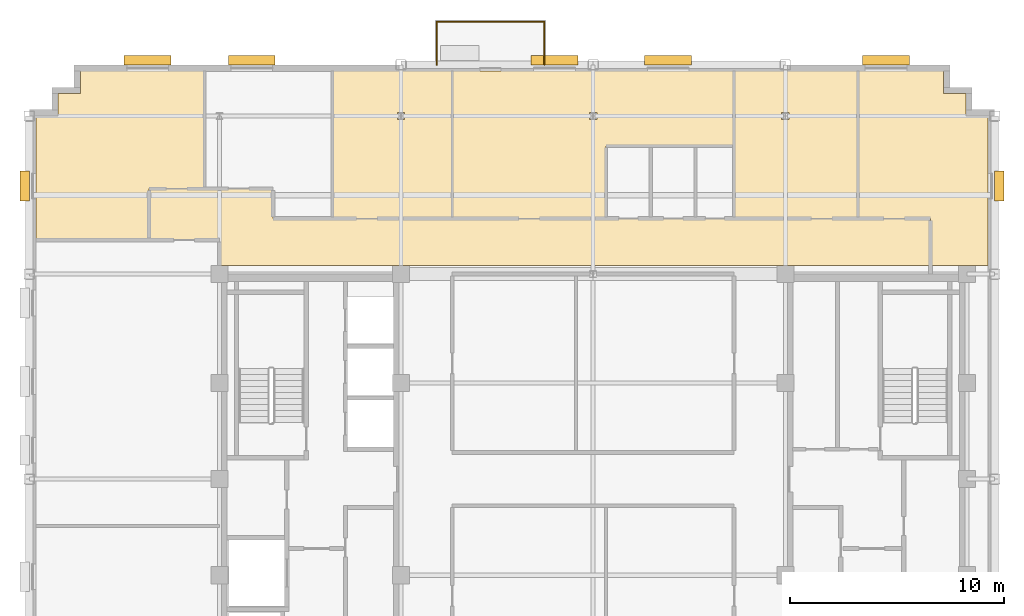
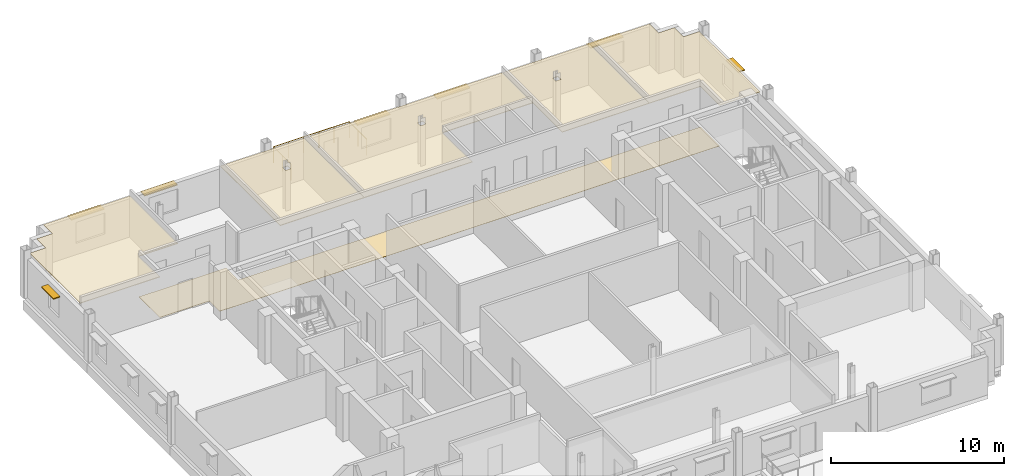
# One storey, part 13 of 13: 7 shading devices, 6 coverings, 1 railing.
"""IFC4 building model written with IfcOpenShell, lengths in metres."""

from ifc_helpers import new_model, si_unit, direction, frame, origin, origin_2d, place, context, subcontext, project, spatial, polyline, rectangle, circle, outline, extrude, source, transform, mapped, material, layer, layer_set, type_object, type_shapes, element, save


model = new_model("IFC4")

# Units and contexts
model_context = context("Model", 3, precision=1e-05, world=origin(), true_north=direction((0.0, 1.0)))
body_context = subcontext(model_context, "Body", "Model", "MODEL_VIEW")
ifc_project = project(units=[si_unit("LENGTHUNIT", "METRE"), si_unit("AREAUNIT", "SQUARE_METRE"), si_unit("VOLUMEUNIT", "CUBIC_METRE"), si_unit("PLANEANGLEUNIT", "RADIAN"), si_unit("MASSUNIT", "GRAM", prefix="KILO")], contexts=[model_context])

# Site, building, storey
site_placement = place(None, origin())
site = spatial("IfcSite", under=ifc_project, at=site_placement, CompositionType="ELEMENT")
building_placement = place(site_placement, origin())
building = spatial("IfcBuilding", under=site, at=building_placement, Name="Nuvemarco Arch Tower", CompositionType="ELEMENT")
storey_placement = place(building_placement, frame((0.0, 0.0, 234.699951171875)))
storey = spatial("IfcBuildingStorey", under=building, at=storey_placement, Name="L62", CompositionType="ELEMENT", Elevation=234.699951171875)

# Coverings
ifc_material_1 = material(Name="Mineral acoustic ceiling tile")
ifc_layer_1 = layer(ifc_material_1, 0.0400390625, Name="COV-ACOUSTIC-CLG")
ifc_layer_set_1 = layer_set([ifc_layer_1], Name="Mineral acoustic ceiling tile")
covering_type_1 = type_object("IfcCoveringType", Name="COV-ACOUSTIC-CLG", PredefinedType="CEILING", material=ifc_layer_set_1)
covering_1_placement = place(storey_placement, frame((0.0, 0.0, 2.85009765625)))
element("IfcCovering", 1, at=covering_1_placement, inside=storey, type_object=covering_type_1, Name="L62 suspended acoustic ceiling 2", PredefinedType="CEILING", context=body_context, shape_type="SweptSolid", body=[
    extrude(outline(polyline([(-6.60009765625, 12.199951171875), (-6.60009765625, 19.10009765625), (6.60009765625, 19.10009765625), (6.60009765625, 15.60009765625), (4.800048828125, 15.60009765625), (2.699951171875, 15.60009765625), (0.60009765625, 15.60009765625), (0.60009765625, 12.199951171875), (-6.60009765625, 12.199951171875)]), holes=[polyline([(0.169921875, 16.830078125), (0.169921875, 17.169921875), (-0.169921875, 17.169921875), (-0.169921875, 16.830078125), (0.169921875, 16.830078125)])]), origin(), (0.0, 0.0, 1.0), 0.0400390625),
])
covering_2_placement = place(storey_placement, frame((0.0, 0.0, 2.85009765625)))
element("IfcCovering", 2, at=covering_2_placement, inside=storey, type_object=covering_type_1, Name="L62 suspended acoustic ceiling 6", PredefinedType="CEILING", context=body_context, shape_type="SweptSolid", body=[
    extrude(outline(polyline([(-25.050048828125, 17.0), (-25.050048828125, 18.050048828125), (-24.0, 18.050048828125), (-24.0, 19.10009765625), (-18.199951171875, 19.10009765625), (-18.199951171875, 13.60009765625), (-20.800048828125, 13.60009765625), (-20.800048828125, 11.199951171875), (-26.10009765625, 11.199951171875), (-26.10009765625, 17.0), (-25.050048828125, 17.0)])), origin(), (0.0, 0.0, 1.0), 0.0400390625),
])
covering_3_placement = place(storey_placement, frame((0.0, 0.0, 2.85009765625)))
element("IfcCovering", 3, at=covering_3_placement, inside=storey, type_object=covering_type_1, Name="L62 suspended acoustic ceiling 7", PredefinedType="CEILING", context=body_context, shape_type="SweptSolid", body=[
    extrude(outline(polyline([(18.5, 17.0), (18.5, 10.0), (17.9150390625, 10.0), (17.9150390625, 10.014892578125), (17.0849609375, 10.014892578125), (17.0849609375, 10.0), (15.800048828125, 10.0), (15.800048828125, 12.199951171875), (12.39990234375, 12.199951171875), (12.39990234375, 19.10009765625), (16.39990234375, 19.10009765625), (16.39990234375, 18.050048828125), (17.449951171875, 18.050048828125), (17.449951171875, 17.0), (18.5, 17.0)])), origin(), (0.0, 0.0, 1.0), 0.0400390625),
])
covering_4_placement = place(storey_placement, frame((0.0, 0.0, 2.85009765625)))
element("IfcCovering", 4, at=covering_4_placement, inside=storey, type_object=covering_type_1, Name="L62 suspended acoustic ceiling 8", PredefinedType="CEILING", context=body_context, shape_type="SweptSolid", body=[
    extrude(outline(polyline([(12.39990234375, 19.10009765625), (12.39990234375, 12.199951171875), (9.0, 12.199951171875), (6.60009765625, 12.199951171875), (6.60009765625, 15.60009765625), (6.60009765625, 19.10009765625), (12.39990234375, 19.10009765625)]), holes=[polyline([(9.169921875, 17.169921875), (8.830078125, 17.169921875), (8.830078125, 16.830078125), (9.169921875, 16.830078125), (9.169921875, 17.169921875)])]), origin(), (0.0, 0.0, 1.0), 0.0400390625),
])
covering_5_placement = place(storey_placement, frame((0.0, 0.0, 2.85009765625)))
element("IfcCovering", 5, at=covering_5_placement, inside=storey, type_object=covering_type_1, Name="L62 suspended acoustic ceiling 9", PredefinedType="CEILING", context=body_context, shape_type="SweptSolid", body=[
    extrude(outline(polyline([(-6.60009765625, 12.199951171875), (-9.0, 12.199951171875), (-12.199951171875, 12.199951171875), (-12.199951171875, 19.10009765625), (-6.60009765625, 19.10009765625), (-6.60009765625, 12.199951171875)]), holes=[polyline([(-8.830078125, 17.169921875), (-9.169921875, 17.169921875), (-9.169921875, 16.830078125), (-8.830078125, 16.830078125), (-8.830078125, 17.169921875)])]), origin(), (0.0, 0.0, 1.0), 0.0400390625),
])
ifc_material_2 = material(Name="Polished granite terrazzostone flooring", Category="masonry")
ifc_layer_2 = layer(ifc_material_2, 0.02001953125, Name="COV-LOBBY-FLR")
ifc_layer_set_2 = layer_set([ifc_layer_2], Name="Polished granite terrazzostone flooring")
covering_type_2 = type_object("IfcCoveringType", Name="COV-LOBBY-FLR", PredefinedType="FLOORING", material=ifc_layer_set_2)
covering_6_placement = place(storey_placement, origin())
element("IfcCovering", 6, at=covering_6_placement, inside=storey, type_object=covering_type_2, Name="L62 polished terrazzo lobby flooring", PredefinedType="FLOORING", context=body_context, shape_type="SweptSolid", body=[
    extrude(outline(polyline([(-8.5849609375, 10.014892578125), (-9.4150390625, 10.014892578125), (-9.4150390625, 10.0), (-17.0849609375, 10.0), (-17.0849609375, 10.014892578125), (-17.5, 10.014892578125), (-17.5, 11.199951171875), (-20.800048828125, 11.199951171875), (-20.800048828125, 13.60009765625), (-15.0, 13.60009765625), (-15.0, 12.199951171875), (-9.0, 12.199951171875), (-6.60009765625, 12.199951171875), (6.60009765625, 12.199951171875), (9.0, 12.199951171875), (15.800048828125, 12.199951171875), (15.800048828125, 10.0), (9.4150390625, 10.0), (9.4150390625, 10.014892578125), (8.5849609375, 10.014892578125), (8.5849609375, 10.0), (-8.5849609375, 10.0), (-8.5849609375, 10.014892578125)])), origin(), (0.0, 0.0, 1.0), 0.02001953125),
])

# Railing
ifc_material_3 = material(Name="Dark anodised balustrade steel S355", Category="steel")
railing_type = type_object("IfcRailingType", Name="RL-TERR-GUARD", PredefinedType="BALUSTRADE", material=ifc_material_3)
railing_placement = place(storey_placement, frame((-7.320068359375, 19.39990234375, 0.0)))
element("IfcRailing", 7, at=railing_placement, inside=storey, type_object=railing_type, Name="L62 tree balcony perimeter balustrade guard", PredefinedType="BALUSTRADE", context=body_context, shape_type="SweptSolid", body=[
    extrude(circle(Radius=0.02392578125, at=origin_2d()), frame((0.0, 0.0, 1.1259765625), z_axis=(0.0, 1.0, 0.0), x_axis=(-1.0, 0.0, 0.0)), (0.0, 0.0, 1.0), 2.02001953125),
    extrude(circle(Radius=0.02392578125, at=origin_2d()), frame((0.0, 2.02001953125, 1.1259765625), z_axis=(1.0, 0.0, 0.0), x_axis=(0.0, 1.0, 0.0)), (0.0, 0.0, 1.0), 5.0400390625),
    extrude(circle(Radius=0.02392578125, at=origin_2d()), frame((5.0400390625, 2.02001953125, 1.1259765625), z_axis=(0.0, -1.0, 0.0), x_axis=(1.0, 0.0, 0.0)), (0.0, 0.0, 1.0), 2.02001953125),
    extrude(circle(Radius=0.02099609375, at=origin_2d()), origin(), (0.0, 0.0, 1.0), 1.101806640625),
    extrude(circle(Radius=0.02099609375, at=origin_2d()), frame((0.0, 1.010009765625, 0.0)), (0.0, 0.0, 1.0), 1.101806640625),
    extrude(circle(Radius=0.02099609375, at=origin_2d()), frame((0.0, 2.02001953125, 0.0)), (0.0, 0.0, 1.0), 1.101806640625),
    extrude(circle(Radius=0.02099609375, at=origin_2d()), frame((1.008056640625, 2.02001953125, 0.0)), (0.0, 0.0, 1.0), 1.101806640625),
    extrude(circle(Radius=0.02099609375, at=origin_2d()), frame((2.01611328125, 2.02001953125, 0.0)), (0.0, 0.0, 1.0), 1.101806640625),
    extrude(circle(Radius=0.02099609375, at=origin_2d()), frame((3.02392578125, 2.02001953125, 0.0)), (0.0, 0.0, 1.0), 1.101806640625),
    extrude(circle(Radius=0.02099609375, at=origin_2d()), frame((4.031982421875, 2.02001953125, 0.0)), (0.0, 0.0, 1.0), 1.101806640625),
    extrude(circle(Radius=0.02099609375, at=origin_2d()), frame((5.0400390625, 2.02001953125, 0.0)), (0.0, 0.0, 1.0), 1.101806640625),
    extrude(circle(Radius=0.02099609375, at=origin_2d()), frame((5.0400390625, 1.010009765625, 0.0)), (0.0, 0.0, 1.0), 1.101806640625),
    extrude(circle(Radius=0.02099609375, at=origin_2d()), frame((5.0400390625, 0.0, 0.0)), (0.0, 0.0, 1.0), 1.101806640625),
])

# Shading devices
ifc_material_4 = material(Name="Anodised aluminium 6063-T6", Category="aluminium")
shading_device_type_1 = type_object("IfcShadingDeviceType", Name="SHD-BRISE-SOLEIL", PredefinedType="USERDEFINED", material=ifc_material_4)
shared_shape_1 = source(origin(), body_context, "Body", "SweptSolid", [
    extrude(rectangle(XDim=2.199951171875, YDim=0.449951171875, at=origin_2d()), origin(), (0.0, 0.0, 1.0), 0.080078125),
])
type_shapes(shading_device_type_1, [shared_shape_1])
for number, where, z_axis, x_axis, name in (
    (8, (-20.862548828125, 19.614990234375, 2.284912109375), (0.0, 0.0, 1.0), (1.0, 0.0, 0.0), "L62 horizontal brise-soleil sunshade"),
    (9, (-15.987548828125, 19.614990234375, 2.284912109375), (0.0, 0.0, 1.0), (1.0, 0.0, 0.0), "L62 horizontal brise-soleil sunshade"),
    (10, (-1.8125, 19.614990234375, 2.284912109375), (0.0, 0.0, 1.0), (1.0, 0.0, 0.0), "L62 horizontal brise-soleil sunshade"),
    (11, (3.512451171875, 19.614990234375, 2.284912109375), (0.0, 0.0, 1.0), (1.0, 0.0, 0.0), "L62 horizontal brise-soleil sunshade"),
    (12, (13.71240234375, 19.614990234375, 2.284912109375), (0.0, 0.0, 1.0), (1.0, 0.0, 0.0), "L62 horizontal brise-soleil sunshade"),
):
    element("IfcShadingDevice", number, at=place(storey_placement, frame(where, z_axis=z_axis, x_axis=x_axis)), inside=storey, type_object=shading_device_type_1, Name=name, ObjectType="SUNSHADE", PredefinedType="USERDEFINED", context=body_context, shape_type="MappedRepresentation", body=[
        mapped(shared_shape_1, transform((0.0, 0.0, 0.0), scale=1.0)),
    ])
shading_device_type_2 = type_object("IfcShadingDeviceType", Name="SHD-BRISE-NARROW", PredefinedType="USERDEFINED", material=ifc_material_4)
shared_shape_2 = source(origin(), body_context, "Body", "SweptSolid", [
    extrude(rectangle(XDim=1.39990234375, YDim=0.449951171875, at=origin_2d()), origin(), (0.0, 0.0, 1.0), 0.080078125),
])
type_shapes(shading_device_type_2, [shared_shape_2])
for number, where, z_axis, x_axis, name in (
    (13, (19.014892578125, 13.7177734375, 2.284912109375), (0.0, 0.0, 1.0), (0.0, 1.0, 0.0), "L62 horizontal brise-soleil sunshade"),
    (14, (-26.614990234375, 13.7177734375, 2.284912109375), (0.0, 0.0, 1.0), (0.0, 1.0, 0.0), "L62 horizontal brise-soleil sunshade"),
):
    element("IfcShadingDevice", number, at=place(storey_placement, frame(where, z_axis=z_axis, x_axis=x_axis)), inside=storey, type_object=shading_device_type_2, Name=name, ObjectType="SUNSHADE", PredefinedType="USERDEFINED", context=body_context, shape_type="MappedRepresentation", body=[
        mapped(shared_shape_2, transform((0.0, 0.0, 0.0), scale=1.0)),
    ])

save(model, "model.ifc")
